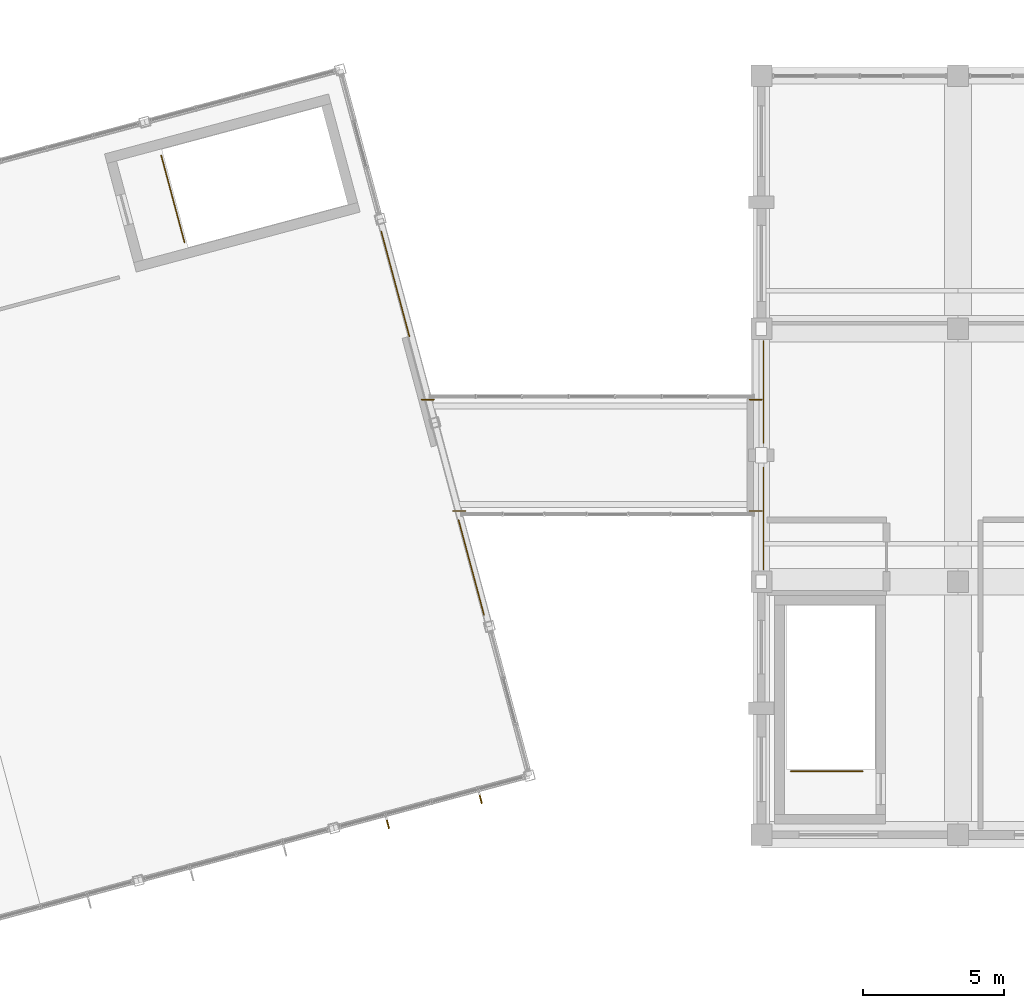
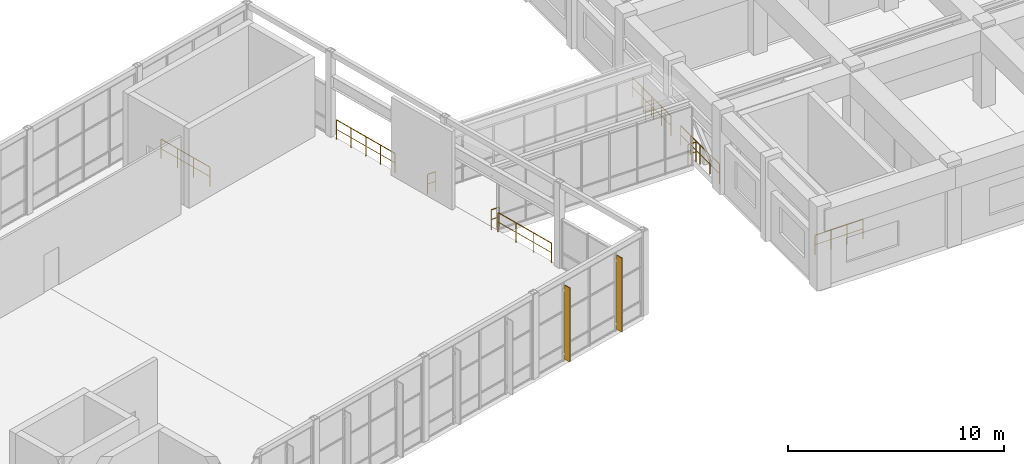
# One storey, part 97 of 99: 10 railings, 2 shading devices.
"""IFC4 building model written with IfcOpenShell, lengths in metres."""

from ifc_helpers import new_model, si_unit, direction, frame, origin, origin_2d, place, context, subcontext, project, spatial, rectangle, circle, extrude, material, type_object, element, save


model = new_model("IFC4")

# Units and contexts
model_context = context("Model", 3, precision=1e-05, world=origin(), true_north=direction((0.0, 1.0)))
body_context = subcontext(model_context, "Body", "Model", "MODEL_VIEW")
ifc_project = project(units=[si_unit("LENGTHUNIT", "METRE"), si_unit("AREAUNIT", "SQUARE_METRE"), si_unit("VOLUMEUNIT", "CUBIC_METRE"), si_unit("PLANEANGLEUNIT", "RADIAN"), si_unit("MASSUNIT", "GRAM", prefix="KILO")], contexts=[model_context])

# Site, building, storey
site_placement = place(None, origin())
site = spatial("IfcSite", under=ifc_project, at=site_placement, CompositionType="ELEMENT")
building_placement = place(site_placement, origin())
building = spatial("IfcBuilding", under=site, at=building_placement, Name="Ventoquebrada Cableway Terminal", CompositionType="ELEMENT")
storey_placement = place(building_placement, frame((0.0, 0.0, 9.60009765625)))
storey = spatial("IfcBuildingStorey", under=building, at=storey_placement, Name="L02", CompositionType="ELEMENT", Elevation=9.60009765625)

# Railings
ifc_material_1 = material(Name="Brushed stainless steel Grade 316", Category="steel")
railing_type_1 = type_object("IfcRailingType", Name="RL-GD01", PredefinedType="GUARDRAIL", material=ifc_material_1)
for number, where, name in (
    (1, (95.080078125, 86.443115234375, 0.0), "Open-edge guardrail GR-E102"),
    (2, (95.080078125, 90.943115234375, 0.0), "Open-edge guardrail GR-E103"),
):
    element("IfcRailing", number, at=place(storey_placement, frame(where)), inside=storey, type_object=railing_type_1, Name=name, PredefinedType="GUARDRAIL", context=body_context, shape_type="SweptSolid", body=[
        extrude(circle(Radius=0.02392578125, at=origin_2d()), frame((0.0, 0.001953125, 1.09619140625), z_axis=(0.0, 1.0, 0.0), x_axis=(-1.0, 0.0, 0.0)), (0.0, 0.0, 1.0), 3.60986328125),
        extrude(circle(Radius=0.01611328125, at=origin_2d()), frame((0.0, 0.001953125, 0.56005859375), z_axis=(0.0, 1.0, 0.0), x_axis=(-1.0, 0.0, 0.0)), (0.0, 0.0, 1.0), 3.60986328125),
        extrude(circle(Radius=0.02099609375, at=origin_2d()), origin(), (0.0, 0.0, 1.0), 1.072021484375),
        extrude(circle(Radius=0.02099609375, at=origin_2d()), frame((0.0, 0.9033203125, 0.0)), (0.0, 0.0, 1.0), 1.072021484375),
        extrude(circle(Radius=0.02099609375, at=origin_2d()), frame((0.0, 1.806884765625, 0.0)), (0.0, 0.0, 1.0), 1.072021484375),
        extrude(circle(Radius=0.02099609375, at=origin_2d()), frame((0.0, 2.71044921875, 0.0)), (0.0, 0.0, 1.0), 1.072021484375),
        extrude(circle(Radius=0.02099609375, at=origin_2d()), frame((0.0, 3.61376953125, 0.0)), (0.0, 0.0, 1.0), 1.072021484375),
    ])
railing_1_placement = place(storey_placement, frame((96.044921875, 79.260009765625, 0.0)))
element("IfcRailing", 3, at=railing_1_placement, inside=storey, type_object=railing_type_1, Name="Open-edge guardrail GR-E107", PredefinedType="GUARDRAIL", context=body_context, shape_type="SweptSolid", body=[
    extrude(circle(Radius=0.02392578125, at=origin_2d()), frame((0.001953125, 0.0, 1.09619140625), z_axis=(1.0, 0.0, 0.0), x_axis=(0.0, 1.0, 0.0)), (0.0, 0.0, 1.0), 2.563232421875),
    extrude(circle(Radius=0.01611328125, at=origin_2d()), frame((0.001953125, 0.0, 0.56005859375), z_axis=(1.0, 0.0, 0.0), x_axis=(0.0, 1.0, 0.0)), (0.0, 0.0, 1.0), 2.563232421875),
    extrude(circle(Radius=0.02099609375, at=origin_2d()), origin(), (0.0, 0.0, 1.0), 1.072021484375),
    extrude(circle(Radius=0.02099609375, at=origin_2d()), frame((0.855712890625, 0.0, 0.0)), (0.0, 0.0, 1.0), 1.072021484375),
    extrude(circle(Radius=0.02099609375, at=origin_2d()), frame((1.71142578125, 0.0, 0.0)), (0.0, 0.0, 1.0), 1.072021484375),
    extrude(circle(Radius=0.02099609375, at=origin_2d()), frame((2.567138671875, 0.0, 0.0)), (0.0, 0.0, 1.0), 1.072021484375),
])
railing_2_placement = place(storey_placement, frame((81.48291015625, 98.455078125, 0.0)))
element("IfcRailing", 4, at=railing_2_placement, inside=storey, type_object=railing_type_1, Name="Open-edge guardrail GR-E109", PredefinedType="GUARDRAIL", context=body_context, shape_type="SweptSolid", body=[
    extrude(circle(Radius=0.02392578125, at=origin_2d()), frame((0.00048828125, -0.001953125, 1.09619140625), z_axis=(0.258733976148, -0.965948616432, 0.0), x_axis=(0.965948616432, 0.258733976148, 0.0)), (0.0, 0.0, 1.0), 3.853515625),
    extrude(circle(Radius=0.01611328125, at=origin_2d()), frame((0.00048828125, -0.001953125, 0.56005859375), z_axis=(0.258733976148, -0.965948616432, 0.0), x_axis=(0.965948616432, 0.258733976148, 0.0)), (0.0, 0.0, 1.0), 3.853515625),
    extrude(circle(Radius=0.02099609375, at=origin_2d()), origin(), (0.0, 0.0, 1.0), 1.072021484375),
    extrude(circle(Radius=0.02099609375, at=origin_2d()), frame((0.24951171875, -0.931640625, 0.0)), (0.0, 0.0, 1.0), 1.072021484375),
    extrude(circle(Radius=0.02099609375, at=origin_2d()), frame((0.4990234375, -1.863037109375, 0.0)), (0.0, 0.0, 1.0), 1.072021484375),
    extrude(circle(Radius=0.02099609375, at=origin_2d()), frame((0.74853515625, -2.79443359375, 0.0)), (0.0, 0.0, 1.0), 1.072021484375),
    extrude(circle(Radius=0.02099609375, at=origin_2d()), frame((0.998046875, -3.72607421875, 0.0)), (0.0, 0.0, 1.0), 1.072021484375),
])
railing_3_placement = place(storey_placement, frame((84.22998046875, 88.199951171875, 0.0)))
element("IfcRailing", 5, at=railing_3_placement, inside=storey, type_object=railing_type_1, Name="Open-edge guardrail GR-E110", PredefinedType="GUARDRAIL", context=body_context, shape_type="SweptSolid", body=[
    extrude(circle(Radius=0.02392578125, at=origin_2d()), frame((0.00048828125, -0.001953125, 1.09619140625), z_axis=(0.258917429364, -0.965899458935, 0.0), x_axis=(0.965899458935, 0.258917429364, 0.0)), (0.0, 0.0, 1.0), 3.4951171875),
    extrude(circle(Radius=0.01611328125, at=origin_2d()), frame((0.00048828125, -0.001953125, 0.56005859375), z_axis=(0.258917429364, -0.965899458935, 0.0), x_axis=(0.965899458935, 0.258917429364, 0.0)), (0.0, 0.0, 1.0), 3.4951171875),
    extrude(circle(Radius=0.02099609375, at=origin_2d()), origin(), (0.0, 0.0, 1.0), 1.072021484375),
    extrude(circle(Radius=0.02099609375, at=origin_2d()), frame((0.302001953125, -1.126708984375, 0.0)), (0.0, 0.0, 1.0), 1.072021484375),
    extrude(circle(Radius=0.02099609375, at=origin_2d()), frame((0.60400390625, -2.253173828125, 0.0)), (0.0, 0.0, 1.0), 1.072021484375),
    extrude(circle(Radius=0.02099609375, at=origin_2d()), frame((0.906005859375, -3.3798828125, 0.0)), (0.0, 0.0, 1.0), 1.072021484375),
])
railing_4_placement = place(storey_placement, frame((73.653076171875, 101.1689453125, 0.0)))
element("IfcRailing", 6, at=railing_4_placement, inside=storey, type_object=railing_type_1, Name="Open-edge guardrail GR-E112", PredefinedType="GUARDRAIL", context=body_context, shape_type="SweptSolid", body=[
    extrude(circle(Radius=0.02392578125, at=origin_2d()), frame((0.00048828125, -0.001953125, 1.09619140625), z_axis=(0.258803243433, -0.965930060195, 0.0), x_axis=(0.965930060195, 0.258803243433, 0.0)), (0.0, 0.0, 1.0), 3.206298828125),
    extrude(circle(Radius=0.01611328125, at=origin_2d()), frame((0.00048828125, -0.001953125, 0.56005859375), z_axis=(0.258803243433, -0.965930060195, 0.0), x_axis=(0.965930060195, 0.258803243433, 0.0)), (0.0, 0.0, 1.0), 3.206298828125),
    extrude(circle(Radius=0.02099609375, at=origin_2d()), origin(), (0.0, 0.0, 1.0), 1.072021484375),
    extrude(circle(Radius=0.02099609375, at=origin_2d()), frame((0.27685546875, -1.03369140625, 0.0)), (0.0, 0.0, 1.0), 1.072021484375),
    extrude(circle(Radius=0.02099609375, at=origin_2d()), frame((0.553955078125, -2.067138671875, 0.0)), (0.0, 0.0, 1.0), 1.072021484375),
    extrude(circle(Radius=0.02099609375, at=origin_2d()), frame((0.830810546875, -3.100830078125, 0.0)), (0.0, 0.0, 1.0), 1.072021484375),
])
railing_type_2 = type_object("IfcRailingType", Name="RL-GD02", PredefinedType="BALUSTRADE", material=ifc_material_1)
for number, where, name in (
    (7, (84.0400390625, 88.52001953125, 0.0), "Bridge end closure guardrail GR-B058"),
    (8, (82.9150390625, 92.47998046875, 0.0), "Bridge end closure guardrail GR-B059"),
    (9, (94.580078125, 88.52001953125, 0.0), "Bridge end closure guardrail GR-B060"),
    (10, (94.580078125, 92.47998046875, 0.0), "Bridge end closure guardrail GR-B061"),
):
    element("IfcRailing", number, at=place(storey_placement, frame(where)), inside=storey, type_object=railing_type_2, Name=name, PredefinedType="BALUSTRADE", context=body_context, shape_type="SweptSolid", body=[
        extrude(circle(Radius=0.02392578125, at=origin_2d()), frame((0.001953125, 0.0, 1.1259765625), z_axis=(1.0, 0.0, 0.0), x_axis=(0.0, 1.0, 0.0)), (0.0, 0.0, 1.0), 0.43603515625),
        extrude(circle(Radius=0.01611328125, at=origin_2d()), frame((0.001953125, 0.0, 0.574951171875), z_axis=(1.0, 0.0, 0.0), x_axis=(0.0, 1.0, 0.0)), (0.0, 0.0, 1.0), 0.43603515625),
        extrude(circle(Radius=0.02099609375, at=origin_2d()), origin(), (0.0, 0.0, 1.0), 1.101806640625),
        extrude(circle(Radius=0.02099609375, at=origin_2d()), frame((0.43994140625, 0.0, 0.0)), (0.0, 0.0, 1.0), 1.101806640625),
    ])

# Shading devices
ifc_material_2 = material(Name="Anodized thermally-broken aluminium", Category="aluminium")
shading_device_type = type_object("IfcShadingDeviceType", Name="SHD-AW1", PredefinedType="AWNING", material=ifc_material_2)
for number, where, z_axis, x_axis, name in (
    (11, (81.7109375, 77.39892578125, 0.14990234375), (0.0, 0.0, 1.0), (0.965930343386, 0.258802186477, 0.0), "Extruded aluminium sunshade fin FN-080"),
    (12, (85.012939453125, 78.284912109375, 0.14990234375), (0.0, 0.0, 1.0), (0.965930343386, 0.258802186477, 0.0), "Extruded aluminium sunshade fin FN-081"),
):
    element("IfcShadingDevice", number, at=place(storey_placement, frame(where, z_axis=z_axis, x_axis=x_axis)), inside=storey, type_object=shading_device_type, Name=name, PredefinedType="AWNING", context=body_context, shape_type="SweptSolid", body=[
        extrude(rectangle(XDim=0.044921875, YDim=0.360107421875, at=origin_2d()), origin(), (0.0, 0.0, 1.0), 4.18994140625),
    ])

save(model, "model.ifc")
